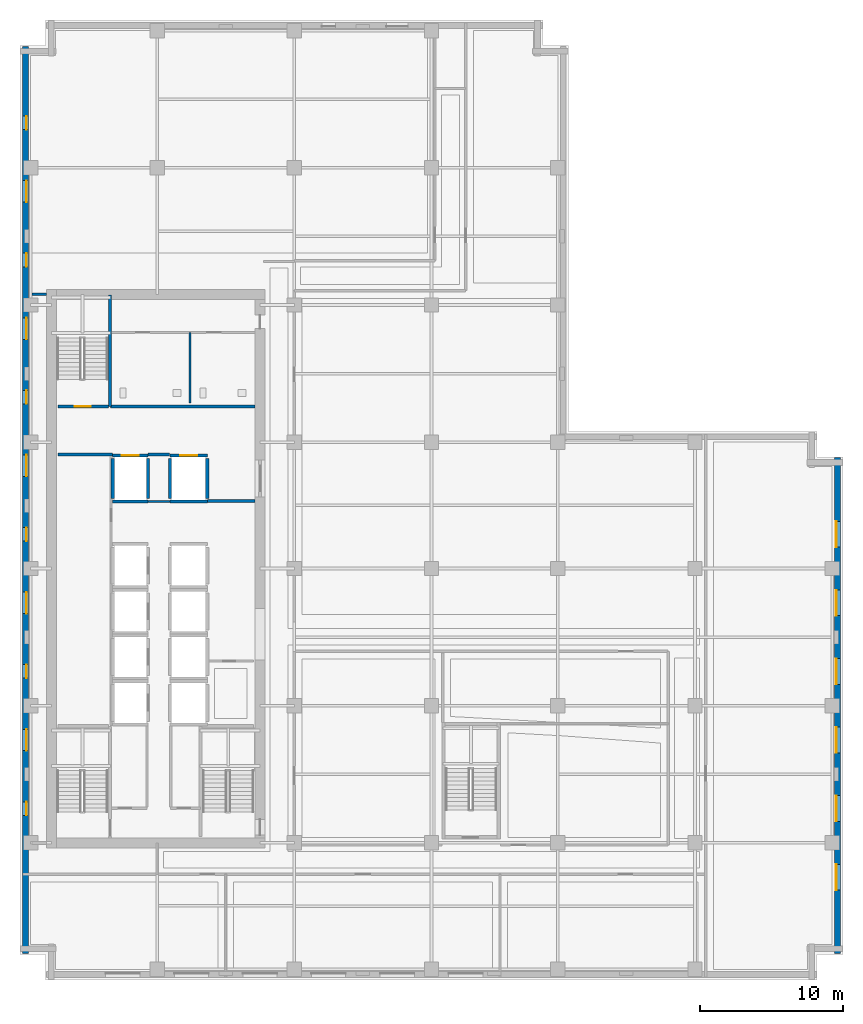
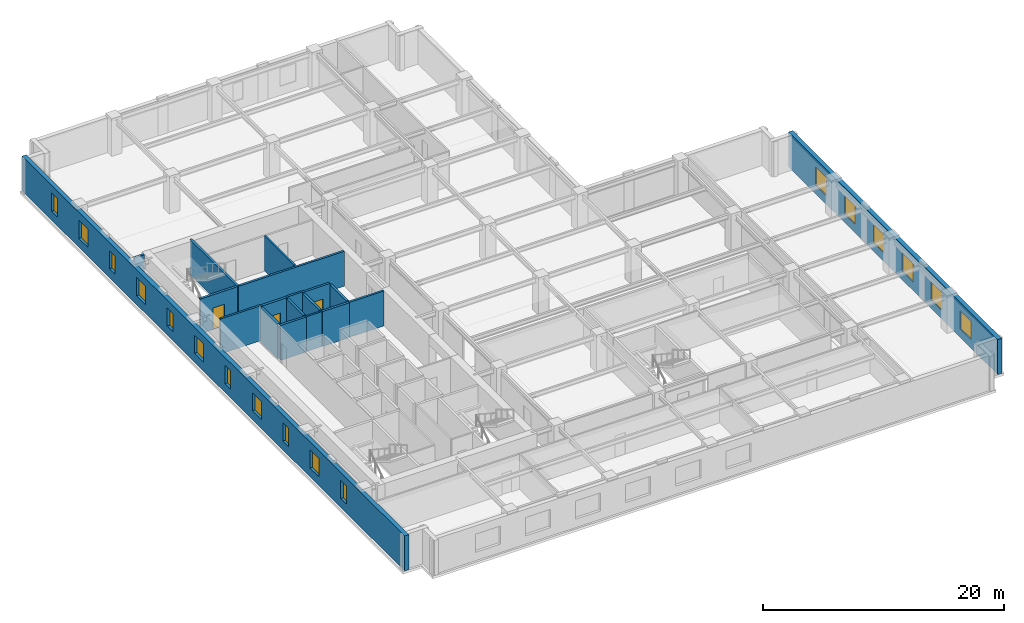
# One storey, part 5 of 12: 19 walls, 17 windows, 3 doors, 20 openings.
"""IFC4 building model written with IfcOpenShell, lengths in metres."""

from ifc_helpers import new_model, si_unit, direction, frame, frame_2d, origin, place, context, subcontext, project, spatial, rectangle, extrude, material, layer, layer_set, type_object, element, fill, save


model = new_model("IFC4")

# Units and contexts
model_context = context("Model", 3, precision=1e-05, world=origin(), true_north=direction((0.0, 1.0)))
body_context = subcontext(model_context, "Body", "Model", "MODEL_VIEW")
ifc_project = project(units=[si_unit("LENGTHUNIT", "METRE"), si_unit("AREAUNIT", "SQUARE_METRE"), si_unit("VOLUMEUNIT", "CUBIC_METRE"), si_unit("PLANEANGLEUNIT", "RADIAN"), si_unit("MASSUNIT", "GRAM", prefix="KILO")], contexts=[model_context])

# Site, building, storey
site_placement = place(None, origin())
site = spatial("IfcSite", under=ifc_project, at=site_placement, CompositionType="ELEMENT")
building_placement = place(site_placement, origin())
building = spatial("IfcBuilding", under=site, at=building_placement, Name="Norrvale University Quadrangle", CompositionType="ELEMENT")
storey_placement = place(building_placement, frame((0.0, 0.0, 143.199951171875)))
storey = spatial("IfcBuildingStorey", under=building, at=storey_placement, Name="L36", CompositionType="ELEMENT", Elevation=143.199951171875)

# Walls
ifc_material_1 = material(Name="Fire-Rated Gypsum Stud Partition")
ifc_layer_1 = layer(ifc_material_1, 0.14990234375, Name="Fire-Rated Gypsum Stud Partition")
ifc_layer_set_1 = layer_set([ifc_layer_1], Name="Fire-Rated Gypsum Stud Partition")
wall_type_1 = type_object("IfcWallType", Name="Wall Gypsum Corridor 150", PredefinedType="PARTITIONING", material=ifc_layer_set_1)
wall_1_placement = place(storey_placement, frame((8.965087890625, 33.489990234375, 0.0), z_axis=(0.0, 0.0, 1.0), x_axis=(1.0, 0.0, 0.0)))
element("IfcWall", 1, at=wall_1_placement, inside=storey, type_object=wall_type_1, Name="Interior Partition WL-L36-LL3", PredefinedType="PARTITIONING", context=body_context, shape_type="SweptSolid", body=[
    extrude(rectangle(XDim=1.52001953125, YDim=0.14990234375, at=frame_2d((0.760009765625, 0.0))), origin(), (0.0, 0.0, 1.0), 3.5400390625),
])
ifc_material_2 = material(Name="Sanitary Chase Gypsum Partition")
ifc_layer_2 = layer(ifc_material_2, 0.1650390625, Name="Sanitary Chase Gypsum Partition")
ifc_layer_set_2 = layer_set([ifc_layer_2], Name="Sanitary Chase Gypsum Partition")
wall_type_2 = type_object("IfcWallType", Name="Wall Gypsum Sanitary 165", PredefinedType="PLUMBINGWALL", material=ifc_layer_set_2)
wall_2_placement = place(storey_placement, frame((11.89990234375, 40.39990234375, 0.0), z_axis=(0.0, 0.0, 1.0), x_axis=(0.0, 1.0, 0.0)))
element("IfcWall", 2, at=wall_2_placement, inside=storey, type_object=wall_type_2, Name="Interior Partition WL-L36-WCM1", PredefinedType="PLUMBINGWALL", context=body_context, shape_type="SweptSolid", body=[
    extrude(rectangle(XDim=4.920166015625, YDim=0.1650390625, at=frame_2d((2.4599609375, 0.0))), origin(), (0.0, 0.0, 1.0), 3.5400390625),
])
ifc_material_3 = material(Name="Concrete Blockwork 20 MPa Rated Wall", Category="masonry")
ifc_layer_3 = layer(ifc_material_3, 0.199951171875, Name="Concrete Blockwork 20 MPa Rated Wall")
ifc_layer_set_3 = layer_set([ifc_layer_3], Name="Concrete Blockwork 20 MPa Rated Wall")
wall_type_3 = type_object("IfcWallType", Name="Wall Lobby 200", PredefinedType="SOLIDWALL", material=ifc_layer_set_3)
wall_3_placement = place(storey_placement, frame((2.64990234375, 36.780029296875, 0.0), z_axis=(0.0, 0.0, 1.0), x_axis=(1.0, 0.0, 0.0)))
element("IfcWall", 3, at=wall_3_placement, inside=storey, type_object=wall_type_3, Name="Interior Partition WL-L36-FF1", PredefinedType="SOLIDWALL", context=body_context, shape_type="SweptSolid", body=[
    extrude(rectangle(XDim=3.830078125, YDim=0.199951171875, at=frame_2d((1.9150390625, 0.0))), origin(), (0.0, 0.0, 1.0), 3.5400390625),
])
wall_4_placement = place(storey_placement, frame((8.969970703125, 36.780029296875, 0.0), z_axis=(0.0, 0.0, 1.0), x_axis=(1.0, 0.0, 0.0)))
element("IfcWall", 4, at=wall_4_placement, inside=storey, type_object=wall_type_3, Name="Interior Partition WL-L36-FF2", PredefinedType="SOLIDWALL", context=body_context, shape_type="SweptSolid", body=[
    extrude(rectangle(XDim=1.510009765625, YDim=0.199951171875, at=frame_2d((0.7548828125, 0.0))), origin(), (0.0, 0.0, 1.0), 3.5400390625),
])
wall_5_placement = place(storey_placement, frame((13.1201171875, 33.52001953125, 0.0), z_axis=(0.0, 0.0, 1.0), x_axis=(1.0, 0.0, 0.0)))
element("IfcWall", 5, at=wall_5_placement, inside=storey, type_object=wall_type_3, Name="Interior Partition WL-L36-FF3", PredefinedType="SOLIDWALL", context=body_context, shape_type="SweptSolid", body=[
    extrude(rectangle(XDim=3.329833984375, YDim=0.199951171875, at=frame_2d((1.6650390625, 0.0))), origin(), (0.0, 0.0, 1.0), 3.5400390625),
])
wall_6_placement = place(storey_placement, frame((6.320068359375, 40.139892578125, 0.0), z_axis=(0.0, 0.0, 1.0), x_axis=(1.0, 0.0, 0.0)))
element("IfcWall", 6, at=wall_6_placement, inside=storey, type_object=wall_type_3, Name="Interior Partition WL-L36-FF4", PredefinedType="SOLIDWALL", context=body_context, shape_type="SweptSolid", body=[
    extrude(rectangle(XDim=10.1298828125, YDim=0.199951171875, at=frame_2d((5.06494140625, 0.0))), origin(), (0.0, 0.0, 1.0), 3.5400390625),
])
wall_7_placement = place(storey_placement, frame((0.85009765625, 48.0, 0.0), z_axis=(0.0, 0.0, 1.0), x_axis=(1.0, 0.0, 0.0)))
element("IfcWall", 7, at=wall_7_placement, inside=storey, type_object=wall_type_3, Name="Interior Partition WL-L36-CWRET-N", PredefinedType="SOLIDWALL", context=body_context, shape_type="SweptSolid", body=[
    extrude(rectangle(XDim=0.994873046875, YDim=0.199951171875, at=frame_2d((0.49755859375, 0.0))), origin(), (0.0, 0.0, 1.0), 3.5400390625),
])

# Wall, openings, windows
ifc_material_4 = material(Name="Red Manganese Brick Masonry", Category="masonry")
ifc_layer_4 = layer(ifc_material_4, 0.39990234375, Name="Red Manganese Brick Masonry")
ifc_layer_set_4 = layer_set([ifc_layer_4], Name="Red Manganese Brick Masonry")
wall_type_4 = type_object("IfcWallType", Name="Wall Red Brick 400", PredefinedType="SOLIDWALL", material=ifc_layer_set_4)
wall_8_placement = place(storey_placement, frame((57.219970703125, 1.840087890625, 0.0), z_axis=(0.0, 0.0, 1.0), x_axis=(0.0, 1.0, 0.0)))
wall_8 = element("IfcWall", 8, at=wall_8_placement, inside=storey, type_object=wall_type_4, Name="Exterior Brick Facade Wall L36-04.1", PredefinedType="SOLIDWALL", context=body_context, shape_type="SweptSolid", body=[
    extrude(rectangle(XDim=34.719970703125, YDim=0.39990234375, at=frame_2d((17.35986328125, 0.0))), origin(), (0.0, 0.0, 1.0), 3.5400390625),
])
opening_1_placement = place(wall_8_placement, frame((4.4599609375, 0.0, 0.85009765625)))
opening_1 = element("IfcOpeningElement", 9, at=opening_1_placement, cuts=wall_8, Name="Opening W01", PredefinedType="OPENING", context=body_context, shape_type="SweptSolid", body=[
    extrude(rectangle(XDim=1.800048828125, YDim=1.85009765625, at=frame_2d((0.89990234375, 0.925048828125))), frame((0.0, 0.2119140625, 0.0), z_axis=(0.0, -1.0, 0.0), x_axis=(1.0, 0.0, 0.0)), (0.0, 0.0, 1.0), 0.423828125),
])
opening_2_placement = place(wall_8_placement, frame((9.260009765625, 0.0, 0.85009765625)))
opening_2 = element("IfcOpeningElement", 10, at=opening_2_placement, cuts=wall_8, Name="Opening W01", PredefinedType="OPENING", context=body_context, shape_type="SweptSolid", body=[
    extrude(rectangle(XDim=1.800048828125, YDim=1.85009765625, at=frame_2d((0.89990234375, 0.925048828125))), frame((0.0, 0.2119140625, 0.0), z_axis=(0.0, -1.0, 0.0), x_axis=(1.0, 0.0, 0.0)), (0.0, 0.0, 1.0), 0.423828125),
])
opening_3_placement = place(wall_8_placement, frame((14.06005859375, 0.0, 0.85009765625)))
opening_3 = element("IfcOpeningElement", 11, at=opening_3_placement, cuts=wall_8, Name="Opening W01", PredefinedType="OPENING", context=body_context, shape_type="SweptSolid", body=[
    extrude(rectangle(XDim=1.800048828125, YDim=1.85009765625, at=frame_2d((0.89990234375, 0.925048828125))), frame((0.0, 0.2119140625, 0.0), z_axis=(0.0, -1.0, 0.0), x_axis=(1.0, 0.0, 0.0)), (0.0, 0.0, 1.0), 0.423828125),
])
opening_4_placement = place(wall_8_placement, frame((18.860107421875, 0.0, 0.85009765625)))
opening_4 = element("IfcOpeningElement", 12, at=opening_4_placement, cuts=wall_8, Name="Opening W01", PredefinedType="OPENING", context=body_context, shape_type="SweptSolid", body=[
    extrude(rectangle(XDim=1.800048828125, YDim=1.85009765625, at=frame_2d((0.89990234375, 0.925048828125))), frame((0.0, 0.2119140625, 0.0), z_axis=(0.0, -1.0, 0.0), x_axis=(1.0, 0.0, 0.0)), (0.0, 0.0, 1.0), 0.423828125),
])
opening_5_placement = place(wall_8_placement, frame((23.659912109375, 0.0, 0.85009765625)))
opening_5 = element("IfcOpeningElement", 13, at=opening_5_placement, cuts=wall_8, Name="Opening W01", PredefinedType="OPENING", context=body_context, shape_type="SweptSolid", body=[
    extrude(rectangle(XDim=1.800048828125, YDim=1.85009765625, at=frame_2d((0.89990234375, 0.925048828125))), frame((0.0, 0.2119140625, 0.0), z_axis=(0.0, -1.0, 0.0), x_axis=(1.0, 0.0, 0.0)), (0.0, 0.0, 1.0), 0.423828125),
])
opening_6_placement = place(wall_8_placement, frame((28.4599609375, 0.0, 0.85009765625)))
opening_6 = element("IfcOpeningElement", 14, at=opening_6_placement, cuts=wall_8, Name="Opening W01", PredefinedType="OPENING", context=body_context, shape_type="SweptSolid", body=[
    extrude(rectangle(XDim=1.800048828125, YDim=1.85009765625, at=frame_2d((0.89990234375, 0.925048828125))), frame((0.0, 0.2119140625, 0.0), z_axis=(0.0, -1.0, 0.0), x_axis=(1.0, 0.0, 0.0)), (0.0, 0.0, 1.0), 0.423828125),
])
ifc_material_5 = material(Name="Triple Low-E Argon Glazing", Category="glass")
window_type_1 = type_object("IfcWindowType", Name="Window Academic 1800x2300", PartitioningType="DOUBLE_PANEL_VERTICAL", PredefinedType="WINDOW", material=ifc_material_5)
window_1_placement = place(opening_1_placement, origin())
window_1 = element("IfcWindow", 15, at=window_1_placement, inside=storey, type_object=window_type_1, Name="Window Academic 1800x2300 WIN-L36-E04-1-01", OverallHeight=1.85009765625, OverallWidth=1.800048828125, PartitioningType="DOUBLE_PANEL_VERTICAL", PredefinedType="WINDOW", context=body_context, shape_type="SweptSolid", body=[
    extrude(rectangle(XDim=1.800048828125, YDim=1.85009765625, at=frame_2d((0.89990234375, 0.925048828125))), frame((0.0, 0.110107421875, 0.0), z_axis=(0.0, -1.0, 0.0), x_axis=(1.0, 0.0, 0.0)), (0.0, 0.0, 1.0), 0.06005859375),
])
fill(opening_1, window_1)
window_2_placement = place(opening_2_placement, origin())
window_2 = element("IfcWindow", 16, at=window_2_placement, inside=storey, type_object=window_type_1, Name="Window Academic 1800x2300 WIN-L36-E04-1-02", OverallHeight=1.85009765625, OverallWidth=1.800048828125, PartitioningType="DOUBLE_PANEL_VERTICAL", PredefinedType="WINDOW", context=body_context, shape_type="SweptSolid", body=[
    extrude(rectangle(XDim=1.800048828125, YDim=1.85009765625, at=frame_2d((0.89990234375, 0.925048828125))), frame((0.0, 0.110107421875, 0.0), z_axis=(0.0, -1.0, 0.0), x_axis=(1.0, 0.0, 0.0)), (0.0, 0.0, 1.0), 0.06005859375),
])
fill(opening_2, window_2)
window_3_placement = place(opening_3_placement, origin())
window_3 = element("IfcWindow", 17, at=window_3_placement, inside=storey, type_object=window_type_1, Name="Window Academic 1800x2300 WIN-L36-E04-1-03", OverallHeight=1.85009765625, OverallWidth=1.800048828125, PartitioningType="DOUBLE_PANEL_VERTICAL", PredefinedType="WINDOW", context=body_context, shape_type="SweptSolid", body=[
    extrude(rectangle(XDim=1.800048828125, YDim=1.85009765625, at=frame_2d((0.89990234375, 0.925048828125))), frame((0.0, 0.110107421875, 0.0), z_axis=(0.0, -1.0, 0.0), x_axis=(1.0, 0.0, 0.0)), (0.0, 0.0, 1.0), 0.06005859375),
])
fill(opening_3, window_3)
window_4_placement = place(opening_4_placement, origin())
window_4 = element("IfcWindow", 18, at=window_4_placement, inside=storey, type_object=window_type_1, Name="Window Academic 1800x2300 WIN-L36-E04-1-04", OverallHeight=1.85009765625, OverallWidth=1.800048828125, PartitioningType="DOUBLE_PANEL_VERTICAL", PredefinedType="WINDOW", context=body_context, shape_type="SweptSolid", body=[
    extrude(rectangle(XDim=1.800048828125, YDim=1.85009765625, at=frame_2d((0.89990234375, 0.925048828125))), frame((0.0, 0.110107421875, 0.0), z_axis=(0.0, -1.0, 0.0), x_axis=(1.0, 0.0, 0.0)), (0.0, 0.0, 1.0), 0.06005859375),
])
fill(opening_4, window_4)
window_5_placement = place(opening_5_placement, origin())
window_5 = element("IfcWindow", 19, at=window_5_placement, inside=storey, type_object=window_type_1, Name="Window Academic 1800x2300 WIN-L36-E04-1-05", OverallHeight=1.85009765625, OverallWidth=1.800048828125, PartitioningType="DOUBLE_PANEL_VERTICAL", PredefinedType="WINDOW", context=body_context, shape_type="SweptSolid", body=[
    extrude(rectangle(XDim=1.800048828125, YDim=1.85009765625, at=frame_2d((0.89990234375, 0.925048828125))), frame((0.0, 0.110107421875, 0.0), z_axis=(0.0, -1.0, 0.0), x_axis=(1.0, 0.0, 0.0)), (0.0, 0.0, 1.0), 0.06005859375),
])
fill(opening_5, window_5)
window_6_placement = place(opening_6_placement, origin())
window_6 = element("IfcWindow", 20, at=window_6_placement, inside=storey, type_object=window_type_1, Name="Window Academic 1800x2300 WIN-L36-E04-1-06", OverallHeight=1.85009765625, OverallWidth=1.800048828125, PartitioningType="DOUBLE_PANEL_VERTICAL", PredefinedType="WINDOW", context=body_context, shape_type="SweptSolid", body=[
    extrude(rectangle(XDim=1.800048828125, YDim=1.85009765625, at=frame_2d((0.89990234375, 0.925048828125))), frame((0.0, 0.110107421875, 0.0), z_axis=(0.0, -1.0, 0.0), x_axis=(1.0, 0.0, 0.0)), (0.0, 0.0, 1.0), 0.06005859375),
])
fill(opening_6, window_6)

wall_9_placement = place(storey_placement, frame((0.3798828125, 65.360107421875, 0.0), z_axis=(0.0, 0.0, 1.0), x_axis=(0.0, -1.0, 0.0)))
wall_9 = element("IfcWall", 21, at=wall_9_placement, inside=storey, type_object=wall_type_4, Name="Exterior Brick Facade Wall L36-14.1", PredefinedType="SOLIDWALL", context=body_context, shape_type="SweptSolid", body=[
    extrude(rectangle(XDim=63.52001953125, YDim=0.39990234375, at=frame_2d((31.760009765625, 0.0))), origin(), (0.0, 0.0, 1.0), 3.5400390625),
])
opening_7_placement = place(wall_9_placement, frame((4.885009765625, 0.0, 0.89990234375)))
opening_7 = element("IfcOpeningElement", 22, at=opening_7_placement, cuts=wall_9, Name="Opening W04", PredefinedType="OPENING", context=body_context, shape_type="SweptSolid", body=[
    extrude(rectangle(XDim=0.949951171875, YDim=1.85009765625, at=frame_2d((0.47509765625, 0.925048828125))), frame((0.0, 0.2119140625, 0.0), z_axis=(0.0, -1.0, 0.0), x_axis=(1.0, 0.0, 0.0)), (0.0, 0.0, 1.0), 0.423828125),
])
opening_8_placement = place(wall_9_placement, frame((9.409912109375, 0.0, 0.89990234375)))
opening_8 = element("IfcOpeningElement", 23, at=opening_8_placement, cuts=wall_9, Name="Opening W03", PredefinedType="OPENING", context=body_context, shape_type="SweptSolid", body=[
    extrude(rectangle(XDim=1.5, YDim=1.85009765625, at=frame_2d((0.75, 0.925048828125))), frame((0.0, 0.2119140625, 0.0), z_axis=(0.0, -1.0, 0.0), x_axis=(1.0, 0.0, 0.0)), (0.0, 0.0, 1.0), 0.423828125),
])
opening_9_placement = place(wall_9_placement, frame((14.485107421875, 0.0, 0.89990234375)))
opening_9 = element("IfcOpeningElement", 24, at=opening_9_placement, cuts=wall_9, Name="Opening W04", PredefinedType="OPENING", context=body_context, shape_type="SweptSolid", body=[
    extrude(rectangle(XDim=0.949951171875, YDim=1.85009765625, at=frame_2d((0.47509765625, 0.925048828125))), frame((0.0, 0.2119140625, 0.0), z_axis=(0.0, -1.0, 0.0), x_axis=(1.0, 0.0, 0.0)), (0.0, 0.0, 1.0), 0.423828125),
])
opening_10_placement = place(wall_9_placement, frame((19.010009765625, 0.0, 0.89990234375)))
opening_10 = element("IfcOpeningElement", 25, at=opening_10_placement, cuts=wall_9, Name="Opening W03", PredefinedType="OPENING", context=body_context, shape_type="SweptSolid", body=[
    extrude(rectangle(XDim=1.5, YDim=1.85009765625, at=frame_2d((0.75, 0.925048828125))), frame((0.0, 0.2119140625, 0.0), z_axis=(0.0, -1.0, 0.0), x_axis=(1.0, 0.0, 0.0)), (0.0, 0.0, 1.0), 0.423828125),
])
opening_11_placement = place(wall_9_placement, frame((24.0849609375, 0.0, 0.89990234375)))
opening_11 = element("IfcOpeningElement", 26, at=opening_11_placement, cuts=wall_9, Name="Opening W04", PredefinedType="OPENING", context=body_context, shape_type="SweptSolid", body=[
    extrude(rectangle(XDim=0.949951171875, YDim=1.85009765625, at=frame_2d((0.47509765625, 0.925048828125))), frame((0.0, 0.2119140625, 0.0), z_axis=(0.0, -1.0, 0.0), x_axis=(1.0, 0.0, 0.0)), (0.0, 0.0, 1.0), 0.423828125),
])
opening_12_placement = place(wall_9_placement, frame((28.610107421875, 0.0, 0.89990234375)))
opening_12 = element("IfcOpeningElement", 27, at=opening_12_placement, cuts=wall_9, Name="Opening W03", PredefinedType="OPENING", context=body_context, shape_type="SweptSolid", body=[
    extrude(rectangle(XDim=1.5, YDim=1.85009765625, at=frame_2d((0.75, 0.925048828125))), frame((0.0, 0.2119140625, 0.0), z_axis=(0.0, -1.0, 0.0), x_axis=(1.0, 0.0, 0.0)), (0.0, 0.0, 1.0), 0.423828125),
])
opening_13_placement = place(wall_9_placement, frame((33.68505859375, 0.0, 0.89990234375)))
opening_13 = element("IfcOpeningElement", 28, at=opening_13_placement, cuts=wall_9, Name="Opening W04", PredefinedType="OPENING", context=body_context, shape_type="SweptSolid", body=[
    extrude(rectangle(XDim=0.949951171875, YDim=1.85009765625, at=frame_2d((0.47509765625, 0.925048828125))), frame((0.0, 0.2119140625, 0.0), z_axis=(0.0, -1.0, 0.0), x_axis=(1.0, 0.0, 0.0)), (0.0, 0.0, 1.0), 0.423828125),
])
opening_14_placement = place(wall_9_placement, frame((38.2099609375, 0.0, 0.89990234375)))
opening_14 = element("IfcOpeningElement", 29, at=opening_14_placement, cuts=wall_9, Name="Opening W03", PredefinedType="OPENING", context=body_context, shape_type="SweptSolid", body=[
    extrude(rectangle(XDim=1.5, YDim=1.85009765625, at=frame_2d((0.75, 0.925048828125))), frame((0.0, 0.2119140625, 0.0), z_axis=(0.0, -1.0, 0.0), x_axis=(1.0, 0.0, 0.0)), (0.0, 0.0, 1.0), 0.423828125),
])
opening_15_placement = place(wall_9_placement, frame((43.284912109375, 0.0, 0.89990234375)))
opening_15 = element("IfcOpeningElement", 30, at=opening_15_placement, cuts=wall_9, Name="Opening W04", PredefinedType="OPENING", context=body_context, shape_type="SweptSolid", body=[
    extrude(rectangle(XDim=0.949951171875, YDim=1.85009765625, at=frame_2d((0.47509765625, 0.925048828125))), frame((0.0, 0.2119140625, 0.0), z_axis=(0.0, -1.0, 0.0), x_axis=(1.0, 0.0, 0.0)), (0.0, 0.0, 1.0), 0.423828125),
])
opening_16_placement = place(wall_9_placement, frame((47.81005859375, 0.0, 0.89990234375)))
opening_16 = element("IfcOpeningElement", 31, at=opening_16_placement, cuts=wall_9, Name="Opening W03", PredefinedType="OPENING", context=body_context, shape_type="SweptSolid", body=[
    extrude(rectangle(XDim=1.5, YDim=1.85009765625, at=frame_2d((0.75, 0.925048828125))), frame((0.0, 0.2119140625, 0.0), z_axis=(0.0, -1.0, 0.0), x_axis=(1.0, 0.0, 0.0)), (0.0, 0.0, 1.0), 0.423828125),
])
opening_17_placement = place(wall_9_placement, frame((52.885009765625, 0.0, 0.89990234375)))
opening_17 = element("IfcOpeningElement", 32, at=opening_17_placement, cuts=wall_9, Name="Opening W04", PredefinedType="OPENING", context=body_context, shape_type="SweptSolid", body=[
    extrude(rectangle(XDim=0.949951171875, YDim=1.85009765625, at=frame_2d((0.47509765625, 0.925048828125))), frame((0.0, 0.2119140625, 0.0), z_axis=(0.0, -1.0, 0.0), x_axis=(1.0, 0.0, 0.0)), (0.0, 0.0, 1.0), 0.423828125),
])
window_type_2 = type_object("IfcWindowType", Name="Window Narrow Pier 950x2300", PartitioningType="SINGLE_PANEL", PredefinedType="WINDOW", material=ifc_material_5)
window_7_placement = place(opening_7_placement, origin())
window_7 = element("IfcWindow", 33, at=window_7_placement, inside=storey, type_object=window_type_2, Name="Window Narrow Pier 950x2300 WIN-L36-E14-1-01", OverallHeight=1.85009765625, OverallWidth=0.949951171875, PartitioningType="SINGLE_PANEL", PredefinedType="WINDOW", context=body_context, shape_type="SweptSolid", body=[
    extrude(rectangle(XDim=0.949951171875, YDim=1.85009765625, at=frame_2d((0.47509765625, 0.925048828125))), frame((0.0, 0.110107421875, 0.0), z_axis=(0.0, -1.0, 0.0), x_axis=(1.0, 0.0, 0.0)), (0.0, 0.0, 1.0), 0.06005859375),
])
fill(opening_7, window_7)
window_8_placement = place(opening_9_placement, origin())
window_8 = element("IfcWindow", 34, at=window_8_placement, inside=storey, type_object=window_type_2, Name="Window Narrow Pier 950x2300 WIN-L36-E14-1-03", OverallHeight=1.85009765625, OverallWidth=0.949951171875, PartitioningType="SINGLE_PANEL", PredefinedType="WINDOW", context=body_context, shape_type="SweptSolid", body=[
    extrude(rectangle(XDim=0.949951171875, YDim=1.85009765625, at=frame_2d((0.47509765625, 0.925048828125))), frame((0.0, 0.110107421875, 0.0), z_axis=(0.0, -1.0, 0.0), x_axis=(1.0, 0.0, 0.0)), (0.0, 0.0, 1.0), 0.06005859375),
])
fill(opening_9, window_8)
window_9_placement = place(opening_11_placement, origin())
window_9 = element("IfcWindow", 35, at=window_9_placement, inside=storey, type_object=window_type_2, Name="Window Narrow Pier 950x2300 WIN-L36-E14-1-05", OverallHeight=1.85009765625, OverallWidth=0.949951171875, PartitioningType="SINGLE_PANEL", PredefinedType="WINDOW", context=body_context, shape_type="SweptSolid", body=[
    extrude(rectangle(XDim=0.949951171875, YDim=1.85009765625, at=frame_2d((0.47509765625, 0.925048828125))), frame((0.0, 0.110107421875, 0.0), z_axis=(0.0, -1.0, 0.0), x_axis=(1.0, 0.0, 0.0)), (0.0, 0.0, 1.0), 0.06005859375),
])
fill(opening_11, window_9)
window_10_placement = place(opening_13_placement, origin())
window_10 = element("IfcWindow", 36, at=window_10_placement, inside=storey, type_object=window_type_2, Name="Window Narrow Pier 950x2300 WIN-L36-E14-1-07", OverallHeight=1.85009765625, OverallWidth=0.949951171875, PartitioningType="SINGLE_PANEL", PredefinedType="WINDOW", context=body_context, shape_type="SweptSolid", body=[
    extrude(rectangle(XDim=0.949951171875, YDim=1.85009765625, at=frame_2d((0.47509765625, 0.925048828125))), frame((0.0, 0.110107421875, 0.0), z_axis=(0.0, -1.0, 0.0), x_axis=(1.0, 0.0, 0.0)), (0.0, 0.0, 1.0), 0.06005859375),
])
fill(opening_13, window_10)
window_11_placement = place(opening_15_placement, origin())
window_11 = element("IfcWindow", 37, at=window_11_placement, inside=storey, type_object=window_type_2, Name="Window Narrow Pier 950x2300 WIN-L36-E14-1-09", OverallHeight=1.85009765625, OverallWidth=0.949951171875, PartitioningType="SINGLE_PANEL", PredefinedType="WINDOW", context=body_context, shape_type="SweptSolid", body=[
    extrude(rectangle(XDim=0.949951171875, YDim=1.85009765625, at=frame_2d((0.47509765625, 0.925048828125))), frame((0.0, 0.110107421875, 0.0), z_axis=(0.0, -1.0, 0.0), x_axis=(1.0, 0.0, 0.0)), (0.0, 0.0, 1.0), 0.06005859375),
])
fill(opening_15, window_11)
window_12_placement = place(opening_17_placement, origin())
window_12 = element("IfcWindow", 38, at=window_12_placement, inside=storey, type_object=window_type_2, Name="Window Narrow Pier 950x2300 WIN-L36-E14-1-11", OverallHeight=1.85009765625, OverallWidth=0.949951171875, PartitioningType="SINGLE_PANEL", PredefinedType="WINDOW", context=body_context, shape_type="SweptSolid", body=[
    extrude(rectangle(XDim=0.949951171875, YDim=1.85009765625, at=frame_2d((0.47509765625, 0.925048828125))), frame((0.0, 0.110107421875, 0.0), z_axis=(0.0, -1.0, 0.0), x_axis=(1.0, 0.0, 0.0)), (0.0, 0.0, 1.0), 0.06005859375),
])
fill(opening_17, window_12)
window_type_3 = type_object("IfcWindowType", Name="Window Studio 1500x2300", PartitioningType="DOUBLE_PANEL_VERTICAL", PredefinedType="WINDOW", material=ifc_material_5)
window_13_placement = place(opening_8_placement, origin())
window_13 = element("IfcWindow", 39, at=window_13_placement, inside=storey, type_object=window_type_3, Name="Window Studio 1500x2300 WIN-L36-E14-1-02", OverallHeight=1.85009765625, OverallWidth=1.5, PartitioningType="DOUBLE_PANEL_VERTICAL", PredefinedType="WINDOW", context=body_context, shape_type="SweptSolid", body=[
    extrude(rectangle(XDim=1.5, YDim=1.85009765625, at=frame_2d((0.75, 0.925048828125))), frame((0.0, 0.110107421875, 0.0), z_axis=(0.0, -1.0, 0.0), x_axis=(1.0, 0.0, 0.0)), (0.0, 0.0, 1.0), 0.06005859375),
])
fill(opening_8, window_13)
window_14_placement = place(opening_10_placement, origin())
window_14 = element("IfcWindow", 40, at=window_14_placement, inside=storey, type_object=window_type_3, Name="Window Studio 1500x2300 WIN-L36-E14-1-04", OverallHeight=1.85009765625, OverallWidth=1.5, PartitioningType="DOUBLE_PANEL_VERTICAL", PredefinedType="WINDOW", context=body_context, shape_type="SweptSolid", body=[
    extrude(rectangle(XDim=1.5, YDim=1.85009765625, at=frame_2d((0.75, 0.925048828125))), frame((0.0, 0.110107421875, 0.0), z_axis=(0.0, -1.0, 0.0), x_axis=(1.0, 0.0, 0.0)), (0.0, 0.0, 1.0), 0.06005859375),
])
fill(opening_10, window_14)
window_15_placement = place(opening_12_placement, origin())
window_15 = element("IfcWindow", 41, at=window_15_placement, inside=storey, type_object=window_type_3, Name="Window Studio 1500x2300 WIN-L36-E14-1-06", OverallHeight=1.85009765625, OverallWidth=1.5, PartitioningType="DOUBLE_PANEL_VERTICAL", PredefinedType="WINDOW", context=body_context, shape_type="SweptSolid", body=[
    extrude(rectangle(XDim=1.5, YDim=1.85009765625, at=frame_2d((0.75, 0.925048828125))), frame((0.0, 0.110107421875, 0.0), z_axis=(0.0, -1.0, 0.0), x_axis=(1.0, 0.0, 0.0)), (0.0, 0.0, 1.0), 0.06005859375),
])
fill(opening_12, window_15)
window_16_placement = place(opening_14_placement, origin())
window_16 = element("IfcWindow", 42, at=window_16_placement, inside=storey, type_object=window_type_3, Name="Window Studio 1500x2300 WIN-L36-E14-1-08", OverallHeight=1.85009765625, OverallWidth=1.5, PartitioningType="DOUBLE_PANEL_VERTICAL", PredefinedType="WINDOW", context=body_context, shape_type="SweptSolid", body=[
    extrude(rectangle(XDim=1.5, YDim=1.85009765625, at=frame_2d((0.75, 0.925048828125))), frame((0.0, 0.110107421875, 0.0), z_axis=(0.0, -1.0, 0.0), x_axis=(1.0, 0.0, 0.0)), (0.0, 0.0, 1.0), 0.06005859375),
])
fill(opening_14, window_16)
window_17_placement = place(opening_16_placement, origin())
window_17 = element("IfcWindow", 43, at=window_17_placement, inside=storey, type_object=window_type_3, Name="Window Studio 1500x2300 WIN-L36-E14-1-10", OverallHeight=1.85009765625, OverallWidth=1.5, PartitioningType="DOUBLE_PANEL_VERTICAL", PredefinedType="WINDOW", context=body_context, shape_type="SweptSolid", body=[
    extrude(rectangle(XDim=1.5, YDim=1.85009765625, at=frame_2d((0.75, 0.925048828125))), frame((0.0, 0.110107421875, 0.0), z_axis=(0.0, -1.0, 0.0), x_axis=(1.0, 0.0, 0.0)), (0.0, 0.0, 1.0), 0.06005859375),
])
fill(opening_16, window_17)

# Wall, opening, door
ifc_material_6 = material(Name="Concrete Blockwork 20 MPa Fire Shaft", Category="masonry")
ifc_layer_5 = layer(ifc_material_6, 0.219970703125, Name="Concrete Blockwork 20 MPa Fire Shaft")
ifc_layer_set_5 = layer_set([ifc_layer_5], Name="Concrete Blockwork 20 MPa Fire Shaft")
wall_type_5 = type_object("IfcWallType", Name="Wall Shaft 220", PredefinedType="SOLIDWALL", material=ifc_layer_set_5)
wall_10_placement = place(storey_placement, frame((2.64990234375, 40.139892578125, 0.0), z_axis=(0.0, 0.0, 1.0), x_axis=(1.0, 0.0, 0.0)))
wall_10 = element("IfcWall", 44, at=wall_10_placement, inside=storey, type_object=wall_type_5, Name="Stair ST-02 South Shaft Wall L36", PredefinedType="SOLIDWALL", context=body_context, shape_type="SweptSolid", body=[
    extrude(rectangle(XDim=3.550048828125, YDim=0.219970703125, at=frame_2d((1.77490234375, 0.0))), origin(), (0.0, 0.0, 1.0), 3.5400390625),
])
opening_18_placement = place(wall_10_placement, frame((1.199951171875, 0.0, 0.0)))
opening_18 = element("IfcOpeningElement", 45, at=opening_18_placement, cuts=wall_10, Name="Opening D02", PredefinedType="OPENING", context=body_context, shape_type="SweptSolid", body=[
    extrude(rectangle(XDim=1.10009765625, YDim=2.199951171875, at=frame_2d((0.550048828125, 1.10009765625))), frame((0.0, 0.1220703125, 0.0), z_axis=(0.0, -1.0, 0.0), x_axis=(1.0, 0.0, 0.0)), (0.0, 0.0, 1.0), 0.243896484375),
])
ifc_material_7 = material(Name="Hollow Steel 350W Fire Door", Category="steel")
door_type_1 = type_object("IfcDoorType", Name="Door Stair Exit 1100x2200", OperationType="NOTDEFINED", PredefinedType="DOOR", material=ifc_material_7)
door_1_placement = place(opening_18_placement, origin())
door_1 = element("IfcDoor", 46, at=door_1_placement, inside=storey, type_object=door_type_1, Name="Door Stair Exit 1100x2200 DR-L36-ST02", OperationType="SINGLE_SWING_LEFT", OverallHeight=2.199951171875, OverallWidth=1.10009765625, PredefinedType="DOOR", context=body_context, shape_type="SweptSolid", body=[
    extrude(rectangle(XDim=1.10009765625, YDim=2.199951171875, at=frame_2d((0.550048828125, 1.10009765625))), frame((0.0, 0.02490234375, 0.0), z_axis=(0.0, -1.0, 0.0), x_axis=(1.0, 0.0, 0.0)), (0.0, 0.0, 1.0), 0.050048828125),
])
fill(opening_18, door_1)

# Walls
wall_11_placement = place(storey_placement, frame((6.31005859375, 40.139892578125, 0.0), z_axis=(0.0, 0.0, 1.0), x_axis=(0.0, 1.0, 0.0)))
element("IfcWall", 47, at=wall_11_placement, inside=storey, type_object=wall_type_5, Name="Stair ST-02 East Shaft Wall L36", PredefinedType="SOLIDWALL", context=body_context, shape_type="SweptSolid", body=[
    extrude(rectangle(XDim=7.81005859375, YDim=0.219970703125, at=frame_2d((3.905029296875, 0.0))), origin(), (0.0, 0.0, 1.0), 3.5400390625),
])
for number, where, z_axis, x_axis, name in (
    (48, (6.489990234375, 33.7099609375, 0.0), (0.0, 0.0, 1.0), (0.0, 1.0, 0.0), "Hoistway FFL-01 West Wall L36"),
    (49, (8.9599609375, 33.7099609375, 0.0), (0.0, 0.0, 1.0), (0.0, 1.0, 0.0), "Hoistway FFL-01 East Wall L36"),
):
    element("IfcWall", number, at=place(storey_placement, frame(where, z_axis=z_axis, x_axis=x_axis)), inside=storey, type_object=wall_type_5, Name=name, PredefinedType="SOLIDWALL", context=body_context, shape_type="SweptSolid", body=[
        extrude(rectangle(XDim=2.780029296875, YDim=0.219970703125, at=frame_2d((1.39013671875, 0.0))), origin(), (0.0, 0.0, 1.0), 3.5400390625),
    ])
wall_12_placement = place(storey_placement, frame((6.489990234375, 33.489990234375, 0.0), z_axis=(0.0, 0.0, 1.0), x_axis=(1.0, 0.0, 0.0)))
element("IfcWall", 50, at=wall_12_placement, inside=storey, type_object=wall_type_5, Name="Hoistway FFL-01 South Wall L36", PredefinedType="SOLIDWALL", context=body_context, shape_type="SweptSolid", body=[
    extrude(rectangle(XDim=2.469970703125, YDim=0.219970703125, at=frame_2d((1.23486328125, 0.0))), origin(), (0.0, 0.0, 1.0), 3.5400390625),
])

# Wall, opening, door
wall_13_placement = place(storey_placement, frame((6.489990234375, 36.7099609375, 0.0), z_axis=(0.0, 0.0, 1.0), x_axis=(1.0, 0.0, 0.0)))
wall_13 = element("IfcWall", 51, at=wall_13_placement, inside=storey, type_object=wall_type_5, Name="Hoistway FFL-01 North Wall L36", PredefinedType="SOLIDWALL", context=body_context, shape_type="SweptSolid", body=[
    extrude(rectangle(XDim=2.469970703125, YDim=0.219970703125, at=frame_2d((1.23486328125, 0.0))), origin(), (0.0, 0.0, 1.0), 3.5400390625),
])
opening_19_placement = place(wall_13_placement, frame((0.635009765625, 0.0, 0.0)))
opening_19 = element("IfcOpeningElement", 52, at=opening_19_placement, cuts=wall_13, Name="Opening LD2", PredefinedType="OPENING", context=body_context, shape_type="SweptSolid", body=[
    extrude(rectangle(XDim=1.199951171875, YDim=2.199951171875, at=frame_2d((0.60009765625, 1.10009765625))), frame((0.0, 0.1220703125, 0.0), z_axis=(0.0, -1.0, 0.0), x_axis=(1.0, 0.0, 0.0)), (0.0, 0.0, 1.0), 0.243896484375),
])
ifc_material_8 = material(Name="Stainless Steel 316L Firefighter Lift Door", Category="steel")
door_type_2 = type_object("IfcDoorType", Name="Door Fire Lift 1200x2200", OperationType="DOUBLE_DOOR_SLIDING", PredefinedType="DOOR", material=ifc_material_8)
door_2_placement = place(opening_19_placement, origin())
door_2 = element("IfcDoor", 53, at=door_2_placement, inside=storey, type_object=door_type_2, Name="Elevator Landing Door DR-L36-FFL-01", OperationType="DOUBLE_DOOR_SLIDING", OverallHeight=2.199951171875, OverallWidth=1.199951171875, PredefinedType="DOOR", context=body_context, shape_type="SweptSolid", body=[
    extrude(rectangle(XDim=1.199951171875, YDim=2.199951171875, at=frame_2d((0.60009765625, 1.10009765625))), frame((0.0, 0.02490234375, 0.0), z_axis=(0.0, -1.0, 0.0), x_axis=(1.0, 0.0, 0.0)), (0.0, 0.0, 1.0), 0.050048828125),
])
fill(opening_19, door_2)

# Walls
for number, where, z_axis, x_axis, name in (
    (54, (10.489990234375, 33.7099609375, 0.0), (0.0, 0.0, 1.0), (0.0, 1.0, 0.0), "Hoistway FFL-02 West Wall L36"),
    (55, (13.110107421875, 33.7099609375, 0.0), (0.0, 0.0, 1.0), (0.0, 1.0, 0.0), "Hoistway FFL-02 East Wall L36"),
):
    element("IfcWall", number, at=place(storey_placement, frame(where, z_axis=z_axis, x_axis=x_axis)), inside=storey, type_object=wall_type_5, Name=name, PredefinedType="SOLIDWALL", context=body_context, shape_type="SweptSolid", body=[
        extrude(rectangle(XDim=2.780029296875, YDim=0.219970703125, at=frame_2d((1.39013671875, 0.0))), origin(), (0.0, 0.0, 1.0), 3.5400390625),
    ])
wall_14_placement = place(storey_placement, frame((10.489990234375, 33.489990234375, 0.0), z_axis=(0.0, 0.0, 1.0), x_axis=(1.0, 0.0, 0.0)))
element("IfcWall", 56, at=wall_14_placement, inside=storey, type_object=wall_type_5, Name="Hoistway FFL-02 South Wall L36", PredefinedType="SOLIDWALL", context=body_context, shape_type="SweptSolid", body=[
    extrude(rectangle(XDim=2.6201171875, YDim=0.219970703125, at=frame_2d((1.31005859375, 0.0))), origin(), (0.0, 0.0, 1.0), 3.5400390625),
])

# Wall, opening, door
wall_15_placement = place(storey_placement, frame((10.489990234375, 36.7099609375, 0.0), z_axis=(0.0, 0.0, 1.0), x_axis=(1.0, 0.0, 0.0)))
wall_15 = element("IfcWall", 57, at=wall_15_placement, inside=storey, type_object=wall_type_5, Name="Hoistway FFL-02 North Wall L36", PredefinedType="SOLIDWALL", context=body_context, shape_type="SweptSolid", body=[
    extrude(rectangle(XDim=2.6201171875, YDim=0.219970703125, at=frame_2d((1.31005859375, 0.0))), origin(), (0.0, 0.0, 1.0), 3.5400390625),
])
opening_20_placement = place(wall_15_placement, frame((0.7099609375, 0.0, 0.0)))
opening_20 = element("IfcOpeningElement", 58, at=opening_20_placement, cuts=wall_15, Name="Opening LD2", PredefinedType="OPENING", context=body_context, shape_type="SweptSolid", body=[
    extrude(rectangle(XDim=1.199951171875, YDim=2.199951171875, at=frame_2d((0.60009765625, 1.10009765625))), frame((0.0, 0.1220703125, 0.0), z_axis=(0.0, -1.0, 0.0), x_axis=(1.0, 0.0, 0.0)), (0.0, 0.0, 1.0), 0.243896484375),
])
door_3_placement = place(opening_20_placement, origin())
door_3 = element("IfcDoor", 59, at=door_3_placement, inside=storey, type_object=door_type_2, Name="Elevator Landing Door DR-L36-FFL-02", OperationType="DOUBLE_DOOR_SLIDING", OverallHeight=2.199951171875, OverallWidth=1.199951171875, PredefinedType="DOOR", context=body_context, shape_type="SweptSolid", body=[
    extrude(rectangle(XDim=1.199951171875, YDim=2.199951171875, at=frame_2d((0.60009765625, 1.10009765625))), frame((0.0, 0.02490234375, 0.0), z_axis=(0.0, -1.0, 0.0), x_axis=(1.0, 0.0, 0.0)), (0.0, 0.0, 1.0), 0.050048828125),
])
fill(opening_20, door_3)

save(model, "model.ifc")
